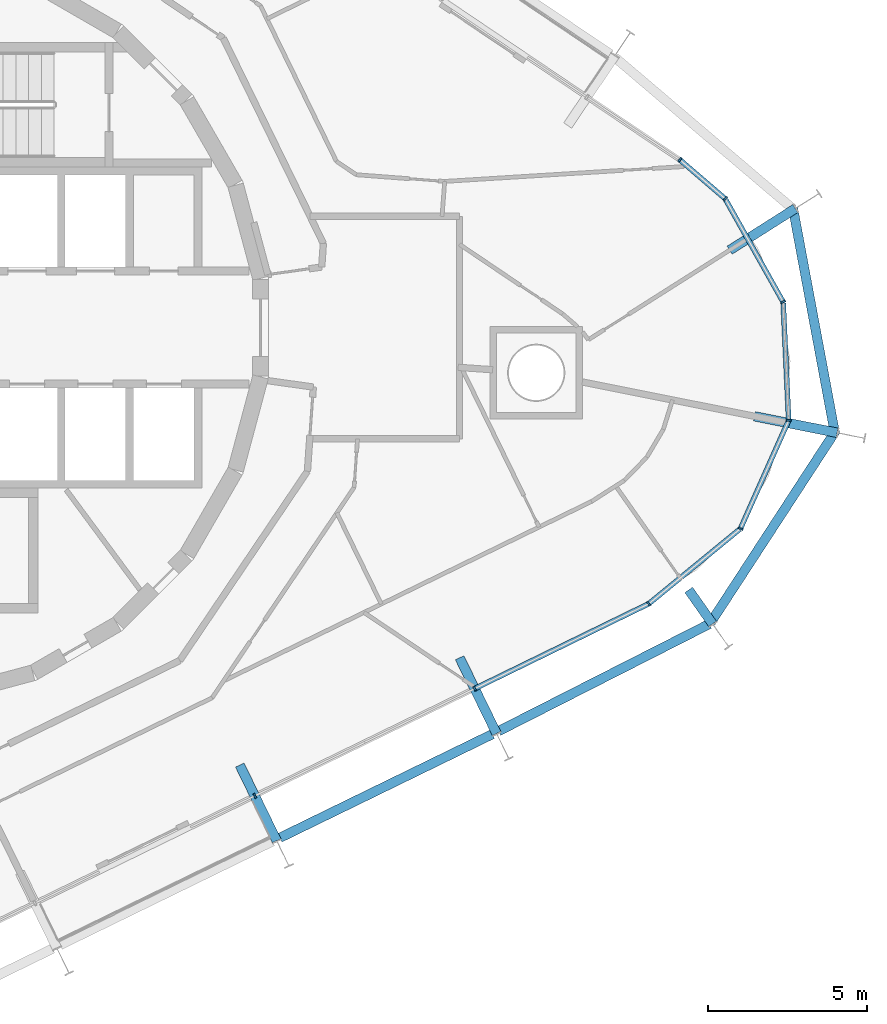
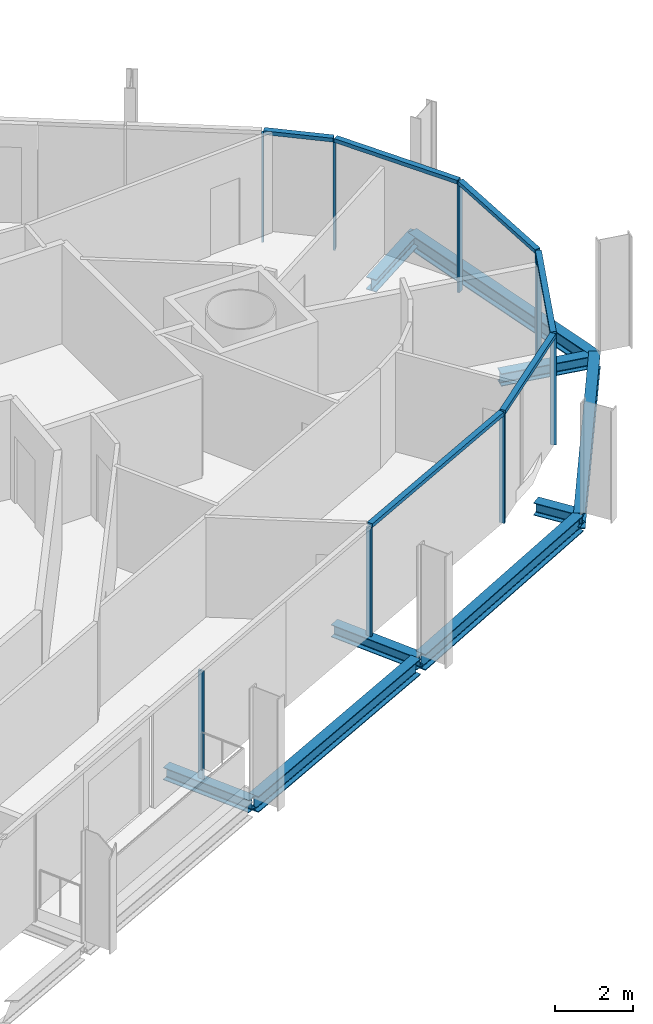
# One storey, part 5 of 18: 14 members, 9 beams, 2 elements without a shape of their own.
"""IFC4 building model written with IfcOpenShell, lengths in metres."""

from ifc_helpers import new_model, si_unit, direction, frame, origin, origin_2d, place, context, subcontext, project, spatial, rectangle, i_section, extrude, material, layer, layer_set, material_profile, profile_set, type_object, element, aggregate, save


model = new_model("IFC4")

# Units and contexts
model_context = context("Model", 3, precision=1e-05, world=origin(), true_north=direction((0.0, 1.0)))
body_context = subcontext(model_context, "Body", "Model", "MODEL_VIEW")
ifc_project = project(units=[si_unit("LENGTHUNIT", "METRE"), si_unit("AREAUNIT", "SQUARE_METRE"), si_unit("VOLUMEUNIT", "CUBIC_METRE"), si_unit("PLANEANGLEUNIT", "RADIAN"), si_unit("MASSUNIT", "GRAM", prefix="KILO")], contexts=[model_context])

# Site, building, storey
site_placement = place(None, origin())
site = spatial("IfcSite", under=ifc_project, at=site_placement, CompositionType="ELEMENT")
building_placement = place(site_placement, origin())
building = spatial("IfcBuilding", under=site, at=building_placement, Name="Spindle Arch Residences", CompositionType="ELEMENT")
storey_placement = place(building_placement, frame((0.0, 0.0, 205.89990234375)))
storey = spatial("IfcBuildingStorey", under=building, at=storey_placement, Name="L52", CompositionType="ELEMENT", Elevation=205.89990234375)

# Curtain wall, members
ifc_material_1 = material(Name="Aluminium bronze unitised frame with tinted glass", Category="aluminium")
ifc_layer_1 = layer(ifc_material_1, 0.159912109375)
ifc_layer_set_1 = layer_set([ifc_layer_1], Name="CW-D corner wall on the fillet arcs")
curtain_wall_type_1 = type_object("IfcCurtainWallType", Name="CW-D corner wall on the fillet arcs", PredefinedType="NOTDEFINED", material=ifc_layer_set_1)
curtain_wall_1_placement = place(storey_placement, origin())
curtain_wall_1 = element("IfcCurtainWall", 1, at=curtain_wall_1_placement, inside=storey, type_object=curtain_wall_type_1, Name="CW-D L52 run 1", PredefinedType="NOTDEFINED")
ifc_material_2 = material(Name="Aluminium bronze anodised mullion", Category="aluminium")
ifc_material_profile_1 = material_profile(ifc_material_2, rectangle(XDim=0.159912109375, YDim=0.06005859375, at=origin_2d()), Name="MU 60x160")
ifc_profile_set_1 = profile_set([ifc_material_profile_1], Name="Aluminium bronze anodised mullion")
member_type_1 = type_object("IfcMemberType", Name="Bronze mullion 60x160", PredefinedType="MULLION", material=ifc_profile_set_1)
member_1_placement = place(storey_placement, frame((18.377685546875, -11.353515625, -0.3798828125), z_axis=(0.0, 0.0, 1.0), x_axis=(-0.438371146789, 0.898794046299, 0.0)))
member_1 = element("IfcMember", 2, at=member_1_placement, type_object=member_type_1, Name="CW-D mullion 00", PredefinedType="MULLION", context=body_context, shape_type="SweptSolid", body=[
    extrude(rectangle(XDim=0.159912109375, YDim=0.06005859375, at=origin_2d()), origin(), (0.0, 0.0, 1.0), 3.3798828125),
])
member_2_placement = place(storey_placement, frame((23.85400390625, -8.6826171875, -0.3798828125), z_axis=(0.0, 0.0, 1.0), x_axis=(-0.633830963722, 0.773471595747, 0.0)))
member_2 = element("IfcMember", 3, at=member_2_placement, type_object=member_type_1, Name="CW-D mullion 01", PredefinedType="MULLION", context=body_context, shape_type="SweptSolid", body=[
    extrude(rectangle(XDim=0.159912109375, YDim=0.06005859375, at=origin_2d()), origin(), (0.0, 0.0, 1.0), 3.3798828125),
])
member_3_placement = place(storey_placement, frame((26.736572265625, -6.320556640625, -0.3798828125), z_axis=(0.0, 0.0, 1.0), x_axis=(-0.913545457934, 0.406736642422, 0.0)))
member_3 = element("IfcMember", 4, at=member_3_placement, type_object=member_type_1, Name="CW-D mullion 02", PredefinedType="MULLION", context=body_context, shape_type="SweptSolid", body=[
    extrude(rectangle(XDim=0.159912109375, YDim=0.06005859375, at=origin_2d()), origin(), (0.0, 0.0, 1.0), 3.3798828125),
])
member_4_placement = place(storey_placement, frame((28.252197265625, -2.916015625, -0.3798828125), z_axis=(0.0, 0.0, 1.0), x_axis=(-0.99891711126, -0.046525313877, 0.0)))
member_4 = element("IfcMember", 5, at=member_4_placement, type_object=member_type_1, Name="CW-D mullion 03", PredefinedType="MULLION", context=body_context, shape_type="SweptSolid", body=[
    extrude(rectangle(XDim=0.159912109375, YDim=0.06005859375, at=origin_2d()), origin(), (0.0, 0.0, 1.0), 3.3798828125),
])
member_5_placement = place(storey_placement, frame((28.078857421875, 0.806884765625, -0.3798828125), z_axis=(0.0, 0.0, 1.0), x_axis=(-0.871784414743, -0.489889716377, 0.0)))
member_5 = element("IfcMember", 6, at=member_5_placement, type_object=member_type_1, Name="CW-D mullion 04", PredefinedType="MULLION", context=body_context, shape_type="SweptSolid", body=[
    extrude(rectangle(XDim=0.159912109375, YDim=0.06005859375, at=origin_2d()), origin(), (0.0, 0.0, 1.0), 3.3798828125),
])
member_6_placement = place(storey_placement, frame((26.253173828125, 4.0556640625, -0.3798828125), z_axis=(0.0, 0.0, 1.0), x_axis=(-0.651657229382, -0.758513582867, 0.0)))
member_6 = element("IfcMember", 7, at=member_6_placement, type_object=member_type_1, Name="CW-D mullion 05", PredefinedType="MULLION", context=body_context, shape_type="SweptSolid", body=[
    extrude(rectangle(XDim=0.159912109375, YDim=0.06005859375, at=origin_2d()), origin(), (0.0, 0.0, 1.0), 3.3798828125),
])
member_7_placement = place(storey_placement, frame((24.830078125, 5.2783203125, -0.3798828125), z_axis=(0.0, 0.0, 1.0), x_axis=(-0.559192903471, -0.829037572555, 0.0)))
member_7 = element("IfcMember", 8, at=member_7_placement, type_object=member_type_1, Name="CW-D mullion 06", PredefinedType="MULLION", context=body_context, shape_type="SweptSolid", body=[
    extrude(rectangle(XDim=0.159912109375, YDim=0.06005859375, at=origin_2d()), origin(), (0.0, 0.0, 1.0), 3.3798828125),
])

# Curtain wall, member
ifc_material_3 = material(Name="Aluminium bronze unitised frame with tinted glass", Category="aluminium")
ifc_layer_2 = layer(ifc_material_3, 0.159912109375)
ifc_layer_set_2 = layer_set([ifc_layer_2], Name="CW-C typical residential unitised wall")
curtain_wall_type_2 = type_object("IfcCurtainWallType", Name="CW-C typical residential unitised wall", PredefinedType="NOTDEFINED", material=ifc_layer_set_2)
curtain_wall_2_placement = place(storey_placement, origin())
curtain_wall_2 = element("IfcCurtainWall", 9, at=curtain_wall_2_placement, inside=storey, type_object=curtain_wall_type_2, Name="CW-C L52 run 6", PredefinedType="NOTDEFINED")
member_8_placement = place(storey_placement, frame((11.46240234375, -14.726318359375, -0.3798828125), z_axis=(0.0, 0.0, 1.0), x_axis=(-0.438371146789, 0.898794046299, 0.0)))
member_8 = element("IfcMember", 10, at=member_8_placement, type_object=member_type_1, Name="CW-C mullion 00", PredefinedType="MULLION", context=body_context, shape_type="SweptSolid", body=[
    extrude(rectangle(XDim=0.159912109375, YDim=0.06005859375, at=origin_2d()), origin(), (0.0, 0.0, 1.0), 3.3798828125),
])
aggregate(curtain_wall_2, [member_8])

# Member
ifc_material_4 = material(Name="Aluminium bronze anodised transom", Category="aluminium")
ifc_material_profile_2 = material_profile(ifc_material_4, rectangle(XDim=0.159912109375, YDim=0.1201171875, at=origin_2d()), Name="TR 120x160")
ifc_profile_set_2 = profile_set([ifc_material_profile_2], Name="Aluminium bronze anodised transom")
member_type_2 = type_object("IfcMemberType", Name="Bronze transom 120x160", PredefinedType="USERDEFINED", material=ifc_profile_set_2)
member_9_placement = place(storey_placement, frame((18.404541015625, -11.340576171875, 3.06005859375), z_axis=(0.898786724344, 0.438386158704, 0.0), x_axis=(-0.438386158704, 0.898786724344, 0.0)))
member_9 = element("IfcMember", 11, at=member_9_placement, type_object=member_type_2, Name="CW-D transom 00", ObjectType="TRANSOM", PredefinedType="USERDEFINED", context=body_context, shape_type="SweptSolid", body=[
    extrude(rectangle(XDim=0.159912109375, YDim=0.1201171875, at=origin_2d()), origin(), (0.0, 0.0, 1.0), 6.032958984375),
])

member_10_placement = place(storey_placement, frame((23.877197265625, -8.66357421875, 3.06005859375), z_axis=(0.773494307947, 0.633803246737, 0.0), x_axis=(-0.633803246737, 0.773494307947, 0.0)))
member_10 = element("IfcMember", 12, at=member_10_placement, type_object=member_type_2, Name="CW-D transom 01", ObjectType="TRANSOM", PredefinedType="USERDEFINED", context=body_context, shape_type="SweptSolid", body=[
    extrude(rectangle(XDim=0.159912109375, YDim=0.1201171875, at=origin_2d()), origin(), (0.0, 0.0, 1.0), 3.666748046875),
])

member_11_placement = place(storey_placement, frame((26.748779296875, -6.29296875, 3.06005859375), z_axis=(0.406706770356, 0.913558757249, 0.0), x_axis=(-0.913558757249, 0.406706770356, 0.0)))
member_11 = element("IfcMember", 13, at=member_11_placement, type_object=member_type_2, Name="CW-D transom 02", ObjectType="TRANSOM", PredefinedType="USERDEFINED", context=body_context, shape_type="SweptSolid", body=[
    extrude(rectangle(XDim=0.159912109375, YDim=0.1201171875, at=origin_2d()), origin(), (0.0, 0.0, 1.0), 3.66650390625),
])

member_12_placement = place(storey_placement, frame((28.2509765625, -2.885986328125, 3.06005859375), z_axis=(-0.046540197037, 0.998916417955, 0.0), x_axis=(-0.998916417955, -0.046540197037, 0.0)))
member_12 = element("IfcMember", 14, at=member_12_placement, type_object=member_type_2, Name="CW-D transom 03", ObjectType="TRANSOM", PredefinedType="USERDEFINED", context=body_context, shape_type="SweptSolid", body=[
    extrude(rectangle(XDim=0.159912109375, YDim=0.1201171875, at=origin_2d()), origin(), (0.0, 0.0, 1.0), 3.666748046875),
])

member_13_placement = place(storey_placement, frame((28.064208984375, 0.8330078125, 3.06005859375), z_axis=(-0.489916630118, 0.871769290314, 0.0), x_axis=(-0.871769290314, -0.489916630118, 0.0)))
member_13 = element("IfcMember", 15, at=member_13_placement, type_object=member_type_2, Name="CW-D transom 04", ObjectType="TRANSOM", PredefinedType="USERDEFINED", context=body_context, shape_type="SweptSolid", body=[
    extrude(rectangle(XDim=0.159912109375, YDim=0.1201171875, at=origin_2d()), origin(), (0.0, 0.0, 1.0), 3.666748046875),
])

member_14_placement = place(storey_placement, frame((26.23046875, 4.0751953125, 3.06005859375), z_axis=(-0.758458936913, 0.651720830584, 0.0), x_axis=(-0.651720830584, -0.758458936913, 0.0)))
member_14 = element("IfcMember", 16, at=member_14_placement, type_object=member_type_2, Name="CW-D transom 05", ObjectType="TRANSOM", PredefinedType="USERDEFINED", context=body_context, shape_type="SweptSolid", body=[
    extrude(rectangle(XDim=0.159912109375, YDim=0.1201171875, at=origin_2d()), origin(), (0.0, 0.0, 1.0), 1.816162109375),
])

aggregate(curtain_wall_1, [member_1, member_9, member_2, member_10, member_3, member_11, member_4, member_12, member_5, member_13, member_6, member_14, member_7])

# Beams
ifc_material_5 = material(Name="Steel S460ML, intumescent coating R 120", Category="steel")
ifc_material_profile_3 = material_profile(ifc_material_5, i_section(OverallWidth=0.300048828125, OverallDepth=0.5, WebThickness=0.014404296875, FlangeThickness=0.028076171875, FilletRadius=0.027099609375, at=origin_2d()), Name="HEB 500")
ifc_profile_set_3 = profile_set([ifc_material_profile_3], Name="Steel S460ML, intumescent coating R 120")
beam_type_1 = type_object("IfcBeamType", Name="Exoskeleton edge beam HEB 500", PredefinedType="BEAM", material=ifc_profile_set_3)
beam_1_placement = place(storey_placement, frame((12.25, -16.04443359375, -0.6298828125), z_axis=(0.898804110297, 0.438350511935, 0.0), x_axis=(-0.438350511935, 0.898804110297, 0.0)))
element("IfcBeam", 17, at=beam_1_placement, inside=storey, type_object=beam_type_1, Name="Exoskeleton edge beam 1", PredefinedType="BEAM", context=body_context, shape_type="SweptSolid", body=[
    extrude(i_section(OverallWidth=0.300048828125, OverallDepth=0.5, WebThickness=0.014404296875, FlangeThickness=0.028076171875, FilletRadius=0.027099609375, at=origin_2d()), origin(), (0.0, 0.0, 1.0), 7.43359375),
])
beam_2_placement = place(storey_placement, frame((19.1298828125, -12.688232421875, -0.6298828125), z_axis=(0.891456240157, 0.453106799646, 0.0), x_axis=(-0.453106799646, 0.891456240157, 0.0)))
element("IfcBeam", 18, at=beam_2_placement, inside=storey, type_object=beam_type_1, Name="Exoskeleton edge beam 2", PredefinedType="BEAM", context=body_context, shape_type="SweptSolid", body=[
    extrude(i_section(OverallWidth=0.300048828125, OverallDepth=0.5, WebThickness=0.014404296875, FlangeThickness=0.028076171875, FilletRadius=0.027099609375, at=origin_2d()), origin(), (0.0, 0.0, 1.0), 7.427978515625),
])
beam_3_placement = place(storey_placement, frame((25.777099609375, -9.30908203125, -0.6298828125), z_axis=(0.546059217501, 0.837746579212, 0.0), x_axis=(-0.837746579212, 0.546059217501, 0.0)))
element("IfcBeam", 19, at=beam_3_placement, inside=storey, type_object=beam_type_1, Name="Exoskeleton edge beam 3", PredefinedType="BEAM", context=body_context, shape_type="SweptSolid", body=[
    extrude(i_section(OverallWidth=0.300048828125, OverallDepth=0.5, WebThickness=0.014404296875, FlangeThickness=0.028076171875, FilletRadius=0.027099609375, at=origin_2d()), origin(), (0.0, 0.0, 1.0), 7.249267578125),
])
beam_4_placement = place(storey_placement, frame((29.71142578125, -3.356689453125, -0.6298828125), z_axis=(-0.183047966733, 0.983103983246, 0.0), x_axis=(-0.983103983246, -0.183047966733, 0.0)))
element("IfcBeam", 20, at=beam_4_placement, inside=storey, type_object=beam_type_1, Name="Exoskeleton edge beam 4", PredefinedType="BEAM", context=body_context, shape_type="SweptSolid", body=[
    extrude(i_section(OverallWidth=0.300048828125, OverallDepth=0.5, WebThickness=0.014404296875, FlangeThickness=0.028076171875, FilletRadius=0.027099609375, at=origin_2d()), origin(), (0.0, 0.0, 1.0), 7.2490234375),
])
ifc_material_6 = material(Name="Steel S460ML, intumescent coating R 120", Category="steel")
ifc_material_profile_4 = material_profile(ifc_material_6, i_section(OverallWidth=0.300048828125, OverallDepth=0.389892578125, WebThickness=0.010986328125, FlangeThickness=0.01904296875, FilletRadius=0.027099609375, at=origin_2d()), Name="HEA 400")
ifc_profile_set_4 = profile_set([ifc_material_profile_4], Name="Steel S460ML, intumescent coating R 120")
beam_type_2 = type_object("IfcBeamType", Name="Floor outrigger HEA 400", PredefinedType="BEAM", material=ifc_profile_set_4)
beam_5_placement = place(storey_placement, frame((12.150634765625, -16.137451171875, -0.574951171875), z_axis=(-0.438347395329, 0.898805630272, 0.0), x_axis=(-0.898805630272, -0.438347395329, 0.0)))
element("IfcBeam", 21, at=beam_5_placement, inside=storey, type_object=beam_type_2, Name="Floor outrigger 1", PredefinedType="BEAM", context=body_context, shape_type="SweptSolid", body=[
    extrude(i_section(OverallWidth=0.300048828125, OverallDepth=0.389892578125, WebThickness=0.010986328125, FlangeThickness=0.01904296875, FilletRadius=0.027099609375, at=origin_2d()), origin(), (0.0, 0.0, 1.0), 2.64990234375),
])
beam_6_placement = place(storey_placement, frame((19.06591796875, -12.7646484375, -0.574951171875), z_axis=(-0.438421816972, 0.898769331032, 0.0), x_axis=(-0.898769331032, -0.438421816972, 0.0)))
element("IfcBeam", 22, at=beam_6_placement, inside=storey, type_object=beam_type_2, Name="Floor outrigger 2", PredefinedType="BEAM", context=body_context, shape_type="SweptSolid", body=[
    extrude(i_section(OverallWidth=0.300048828125, OverallDepth=0.389892578125, WebThickness=0.010986328125, FlangeThickness=0.01904296875, FilletRadius=0.027099609375, at=origin_2d()), origin(), (0.0, 0.0, 1.0), 2.650146484375),
])
beam_7_placement = place(storey_placement, frame((25.858154296875, -9.3173828125, -0.574951171875), z_axis=(-0.574827287121, 0.818274764356, 0.0), x_axis=(-0.818274764356, -0.574827287121, 0.0)))
element("IfcBeam", 23, at=beam_7_placement, inside=storey, type_object=beam_type_2, Name="Floor outrigger 3", PredefinedType="BEAM", context=body_context, shape_type="SweptSolid", body=[
    extrude(i_section(OverallWidth=0.300048828125, OverallDepth=0.389892578125, WebThickness=0.010986328125, FlangeThickness=0.01904296875, FilletRadius=0.027099609375, at=origin_2d()), origin(), (0.0, 0.0, 1.0), 1.3076171875),
])
beam_8_placement = place(storey_placement, frame((29.775634765625, -3.306884765625, -0.574951171875), z_axis=(-0.980704498332, 0.195496002392, 0.0), x_axis=(-0.195496002392, -0.980704498332, 0.0)))
element("IfcBeam", 24, at=beam_8_placement, inside=storey, type_object=beam_type_2, Name="Floor outrigger 4", PredefinedType="BEAM", context=body_context, shape_type="SweptSolid", body=[
    extrude(i_section(OverallWidth=0.300048828125, OverallDepth=0.389892578125, WebThickness=0.010986328125, FlangeThickness=0.01904296875, FilletRadius=0.027099609375, at=origin_2d()), origin(), (0.0, 0.0, 1.0), 2.64990234375),
])
beam_9_placement = place(storey_placement, frame((28.46240234375, 3.746337890625, -0.574951171875), z_axis=(-0.844575652312, -0.535436240388, 0.0), x_axis=(0.535436240388, -0.844575652312, 0.0)))
element("IfcBeam", 25, at=beam_9_placement, inside=storey, type_object=beam_type_2, Name="Floor outrigger 5", PredefinedType="BEAM", context=body_context, shape_type="SweptSolid", body=[
    extrude(i_section(OverallWidth=0.300048828125, OverallDepth=0.389892578125, WebThickness=0.010986328125, FlangeThickness=0.01904296875, FilletRadius=0.027099609375, at=origin_2d()), origin(), (0.0, 0.0, 1.0), 2.448974609375),
])

save(model, "model.ifc")
